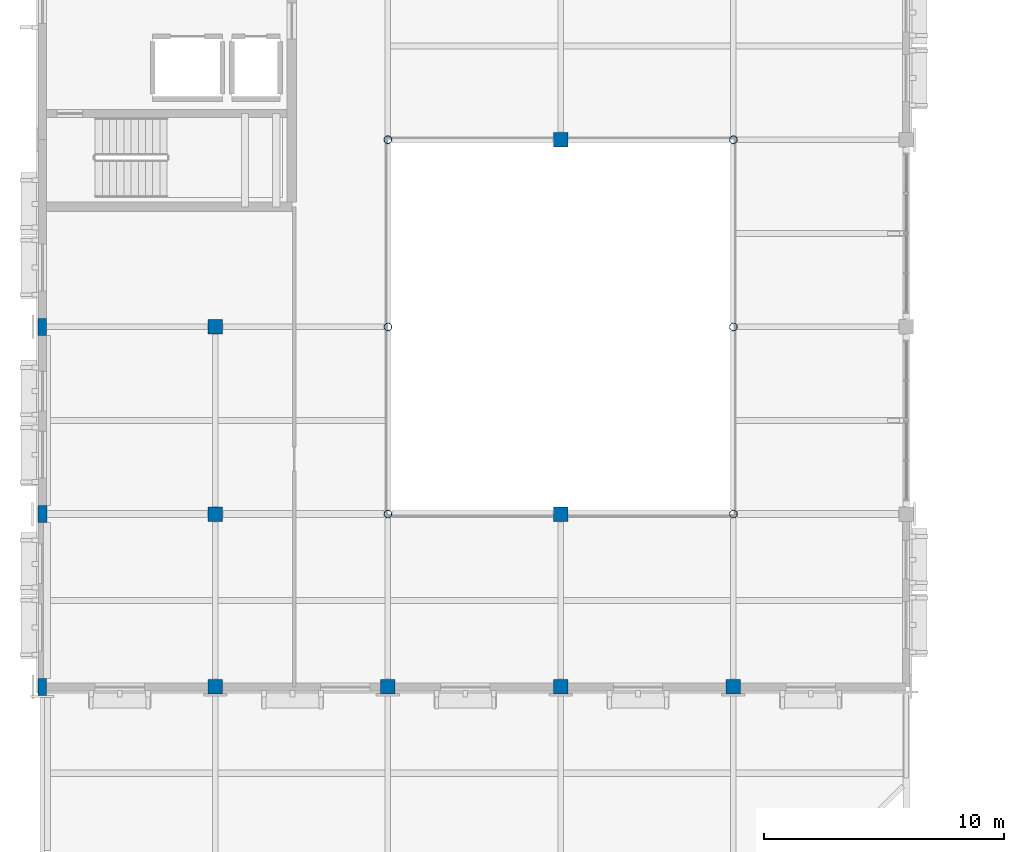
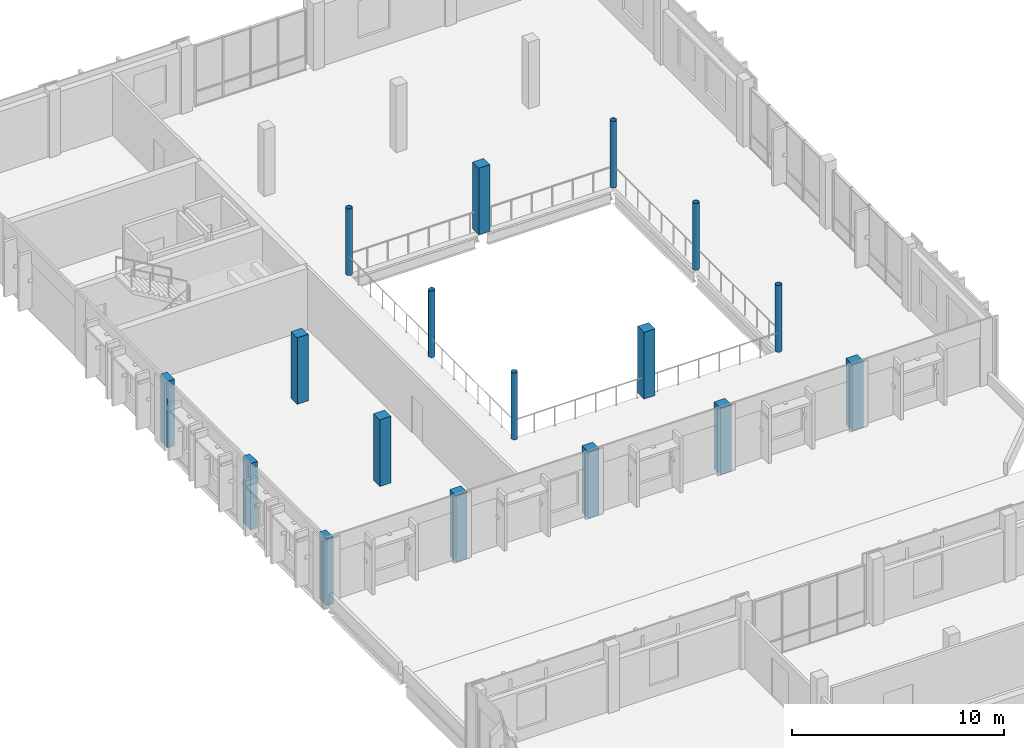
# One storey, part 3 of 64: 17 columns.
"""IFC4 building model written with IfcOpenShell, lengths in metres."""

from ifc_helpers import new_model, si_unit, direction, frame, origin, origin_2d, place, context, subcontext, project, spatial, rectangle, hollow_circle, extrude, material, material_profile, profile_set, type_object, element, save


model = new_model("IFC4")

# Units and contexts
model_context = context("Model", 3, precision=1e-05, world=origin(), true_north=direction((0.0, 1.0)))
body_context = subcontext(model_context, "Body", "Model", "MODEL_VIEW")
ifc_project = project(units=[si_unit("LENGTHUNIT", "METRE"), si_unit("AREAUNIT", "SQUARE_METRE"), si_unit("VOLUMEUNIT", "CUBIC_METRE"), si_unit("PLANEANGLEUNIT", "RADIAN"), si_unit("MASSUNIT", "GRAM", prefix="KILO")], contexts=[model_context])

# Site, building, storey
site_placement = place(None, origin())
site = spatial("IfcSite", under=ifc_project, at=site_placement, CompositionType="ELEMENT")
building_placement = place(site_placement, origin())
building = spatial("IfcBuilding", under=site, at=building_placement, Name="Vervanel Yard Central Library", CompositionType="ELEMENT")
storey_placement = place(building_placement, frame((0.0, 0.0, 8.93994140625)))
storey = spatial("IfcBuildingStorey", under=building, at=storey_placement, Name="L02", CompositionType="ELEMENT", Elevation=8.93994140625)

# Columns
ifc_material_1 = material(Name="Steel ASTM A500 Grade C", Category="steel")
ifc_material_profile_1 = material_profile(ifc_material_1, hollow_circle(Radius=0.161865234375, WallThickness=0.01171875, at=origin_2d()), Name="HSS12.750X0.500", Category="steel")
ifc_profile_set_1 = profile_set([ifc_material_profile_1], Name="Steel ASTM A500 Grade C")
column_type_1 = type_object("IfcColumnType", Name="Atrium Column HSS12.750X0.500", PredefinedType="COLUMN", material=ifc_profile_set_1)
for number, where, z_axis, x_axis, name in (
    (1, (14.39990234375, 43.199951171875, 0.0), (0.0, 0.0, 1.0), (1.0, 0.0, 0.0), "L02 Atrium Column HSS12.750X0.500 (14.4, 43.2)"),
    (2, (14.39990234375, 51.0, 0.0), (0.0, 0.0, 1.0), (1.0, 0.0, 0.0), "L02 Atrium Column HSS12.750X0.500 (14.4, 51.0)"),
    (3, (14.39990234375, 58.800048828125, 0.0), (0.0, 0.0, 1.0), (1.0, 0.0, 0.0), "L02 Atrium Column HSS12.750X0.500 (14.4, 58.8)"),
    (4, (28.800048828125, 43.199951171875, 0.0), (0.0, 0.0, 1.0), (1.0, 0.0, 0.0), "L02 Atrium Column HSS12.750X0.500 (28.8, 43.2)"),
    (5, (28.800048828125, 51.0, 0.0), (0.0, 0.0, 1.0), (1.0, 0.0, 0.0), "L02 Atrium Column HSS12.750X0.500 (28.8, 51.0)"),
    (6, (28.800048828125, 58.800048828125, 0.0), (0.0, 0.0, 1.0), (1.0, 0.0, 0.0), "L02 Atrium Column HSS12.750X0.500 (28.8, 58.8)"),
):
    element("IfcColumn", number, at=place(storey_placement, frame(where, z_axis=z_axis, x_axis=x_axis)), inside=storey, type_object=column_type_1, Name=name, PredefinedType="COLUMN", context=body_context, shape_type="SweptSolid", body=[
        extrude(hollow_circle(Radius=0.161865234375, WallThickness=0.01171875, at=origin_2d()), origin(), (0.0, 0.0, 1.0), 3.840087890625),
    ])
ifc_material_2 = material(Name="Concrete C40/50", Category="concrete")
ifc_material_profile_2 = material_profile(ifc_material_2, rectangle(XDim=0.60009765625, YDim=0.60009765625, at=origin_2d()), Name="RC 600x600", Category="concrete")
ifc_profile_set_2 = profile_set([ifc_material_profile_2], Name="Concrete C40/50")
column_type_2 = type_object("IfcColumnType", Name="Concrete Column 600x600", PredefinedType="COLUMN", material=ifc_profile_set_2)
for number, where, z_axis, x_axis, name in (
    (7, (7.199951171875, 36.0, 0.0), (0.0, 0.0, 1.0), (1.0, 0.0, 0.0), "L02 Concrete Column 600x600 (7.2, 36.0)"),
    (8, (7.199951171875, 43.199951171875, 0.0), (0.0, 0.0, 1.0), (1.0, 0.0, 0.0), "L02 Concrete Column 600x600 (7.2, 43.2)"),
    (9, (7.199951171875, 51.0, 0.0), (0.0, 0.0, 1.0), (1.0, 0.0, 0.0), "L02 Concrete Column 600x600 (7.2, 51.0)"),
    (10, (14.39990234375, 36.0, 0.0), (0.0, 0.0, 1.0), (1.0, 0.0, 0.0), "L02 Concrete Column 600x600 (14.4, 36.0)"),
    (11, (21.60009765625, 36.0, 0.0), (0.0, 0.0, 1.0), (1.0, 0.0, 0.0), "L02 Concrete Column 600x600 (21.6, 36.0)"),
    (12, (21.60009765625, 43.199951171875, 0.0), (0.0, 0.0, 1.0), (1.0, 0.0, 0.0), "L02 Concrete Column 600x600 (21.6, 43.2)"),
    (13, (21.60009765625, 58.800048828125, 0.0), (0.0, 0.0, 1.0), (1.0, 0.0, 0.0), "L02 Concrete Column 600x600 (21.6, 58.8)"),
    (14, (28.800048828125, 36.0, 0.0), (0.0, 0.0, 1.0), (1.0, 0.0, 0.0), "L02 Concrete Column 600x600 (28.8, 36.0)"),
):
    element("IfcColumn", number, at=place(storey_placement, frame(where, z_axis=z_axis, x_axis=x_axis)), inside=storey, type_object=column_type_2, Name=name, PredefinedType="COLUMN", context=body_context, shape_type="SweptSolid", body=[
        extrude(rectangle(XDim=0.60009765625, YDim=0.60009765625, at=origin_2d()), origin(), (0.0, 0.0, 1.0), 3.840087890625),
    ])
ifc_material_profile_3 = material_profile(ifc_material_2, rectangle(XDim=0.35009765625, YDim=0.699951171875, at=origin_2d()), Name="RC 350x700", Category="concrete")
ifc_profile_set_3 = profile_set([ifc_material_profile_3], Name="Concrete C40/50")
column_type_3 = type_object("IfcColumnType", Name="Perimeter Pilaster 350x700", PredefinedType="PILASTER", material=ifc_profile_set_3)
for number, where, z_axis, x_axis, name in (
    (15, (0.0, 36.0, 0.0), (0.0, 0.0, 1.0), (1.0, 0.0, 0.0), "L02 Perimeter Pilaster 350x700 (0.0, 36.0)"),
    (16, (0.0, 51.0, 0.0), (0.0, 0.0, 1.0), (1.0, 0.0, 0.0), "L02 Perimeter Pilaster 350x700 (0.0, 51.0)"),
):
    element("IfcColumn", number, at=place(storey_placement, frame(where, z_axis=z_axis, x_axis=x_axis)), inside=storey, type_object=column_type_3, Name=name, PredefinedType="PILASTER", context=body_context, shape_type="SweptSolid", body=[
        extrude(rectangle(XDim=0.35009765625, YDim=0.699951171875, at=origin_2d()), origin(), (0.0, 0.0, 1.0), 3.840087890625),
    ])
ifc_material_profile_4 = material_profile(ifc_material_2, rectangle(XDim=0.3798828125, YDim=0.719970703125, at=origin_2d()), Name="RC 380x720", Category="concrete")
ifc_profile_set_4 = profile_set([ifc_material_profile_4], Name="Concrete C40/50")
column_type_4 = type_object("IfcColumnType", Name="Perimeter Pilaster 380x720", PredefinedType="PILASTER", material=ifc_profile_set_4)
column_placement = place(storey_placement, frame((0.0, 43.199951171875, 0.0), z_axis=(0.0, 0.0, 1.0), x_axis=(1.0, 0.0, 0.0)))
element("IfcColumn", 17, at=column_placement, inside=storey, type_object=column_type_4, Name="L02 Perimeter Pilaster 380x720 (0.0, 43.2)", PredefinedType="PILASTER", context=body_context, shape_type="SweptSolid", body=[
    extrude(rectangle(XDim=0.3798828125, YDim=0.719970703125, at=origin_2d()), origin(), (0.0, 0.0, 1.0), 3.840087890625),
])

save(model, "model.ifc")
